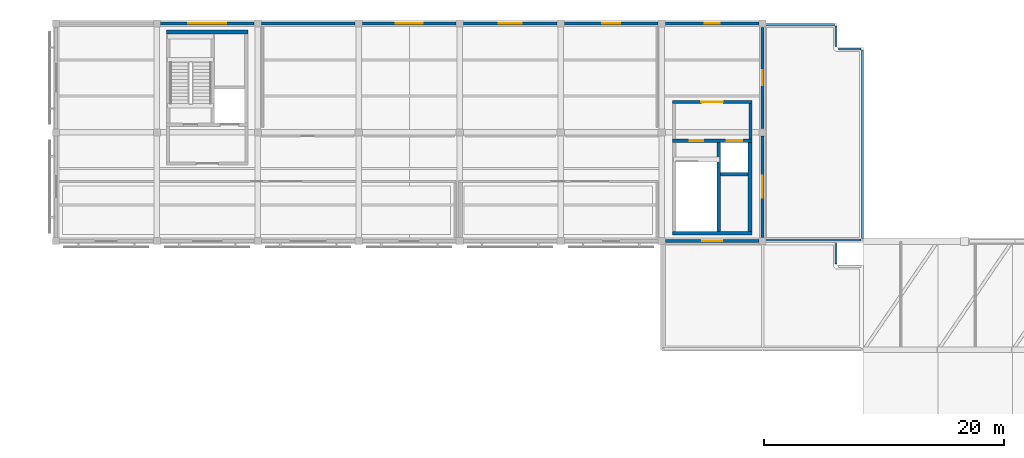
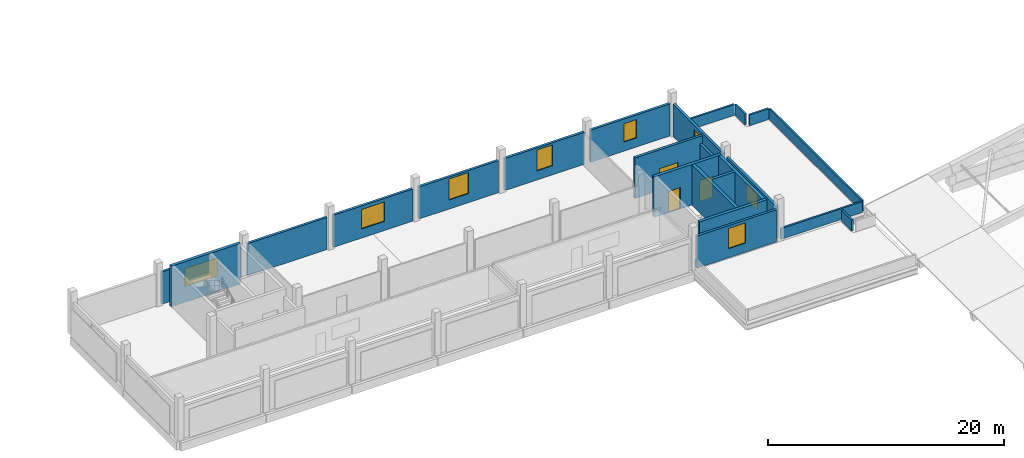
# One storey, part 19 of 34: 23 walls, 8 windows, 3 doors, 11 openings.
"""IFC4 building model written with IfcOpenShell, lengths in metres."""

import ifcopenshell
import ifcopenshell.guid

model = None  # the IFC model being written
_history = None  # IfcOwnerHistory: only IFC2X3 demands one
_inside = {}  # id of a spatial element -> (the spatial element, [elements in it])
_under = {}  # id of a project, library or spatial element -> (it, [spatial elements below it])
_declared = {}  # id of a project -> (the project, [libraries it declares])
_typed = {}  # id of a type object -> (the type object, [elements of that type])
_made_of = {}  # id of a material, layer set ... -> (it, [elements and type objects made of it])


def new_model(schema):
    """Start an empty IFC model of exactly this schema.

    Asked for "IFC4X3", IfcOpenShell would pick the latest addendum, in which some entities
    have other attributes; the version numbers below select the first issue.
    IFC2X3 requires an IfcOwnerHistory on every rooted entity: one is made here for all.
    """
    global model, _history
    if schema == "IFC4X3":
        model = ifcopenshell.file(schema_version=(4, 3, 0, 0))
    else:
        model = ifcopenshell.file(schema=schema)
    _inside.clear()
    _under.clear()
    _declared.clear()
    _typed.clear()
    _made_of.clear()
    _history = None
    if model.schema == "IFC2X3":
        org = make("IfcOrganization", Name="unknown")
        user = make(
            "IfcPersonAndOrganization",
            ThePerson=make("IfcPerson", FamilyName="unknown"),
            TheOrganization=org,
        )
        app = make(
            "IfcApplication",
            ApplicationDeveloper=org,
            Version="unknown",
            ApplicationFullName="unknown",
            ApplicationIdentifier="unknown",
        )
        _history = make(
            "IfcOwnerHistory",
            OwningUser=user,
            OwningApplication=app,
            ChangeAction="ADDED",
            CreationDate=0,
        )
    return model


def make(cls, **values):
    """One entity of the class cls with the attributes given. An attribute that is None is left unset."""
    return model.create_entity(
        cls, **{name: value for name, value in values.items() if value is not None}
    )


def rooted(cls, **values):
    """An entity with a GlobalId (a new one), such as an element, a storey or a relation."""
    return make(cls, GlobalId=ifcopenshell.guid.new(), OwnerHistory=_history, **values)


def si_unit(unit_type, name, prefix=None):
    """IfcSIUnit, for example si_unit("LENGTHUNIT", "METRE", prefix="MILLI")."""
    return make("IfcSIUnit", UnitType=unit_type, Prefix=prefix, Name=name)


def assignment(units):
    """IfcUnitAssignment: the units of a project."""
    return None if units is None else make("IfcUnitAssignment", Units=units)


def point(xyz):
    """IfcCartesianPoint."""
    return None if xyz is None else make("IfcCartesianPoint", Coordinates=xyz)


def direction(xyz):
    """IfcDirection."""
    return None if xyz is None else make("IfcDirection", DirectionRatios=xyz)


def frame(location, z_axis=None, x_axis=None):
    """IfcAxis2Placement3D, a coordinate frame: its origin and axes. An axis left out is left unset."""
    return make(
        "IfcAxis2Placement3D",
        Location=point(location),
        Axis=direction(z_axis),
        RefDirection=direction(x_axis),
    )


def frame_2d(location, x_axis=None):
    """IfcAxis2Placement2D, a coordinate frame in the plane: its origin and x axis."""
    return make(
        "IfcAxis2Placement2D", Location=point(location), RefDirection=direction(x_axis)
    )


def origin():
    """The frame at (0, 0, 0) with its axes left unset."""
    return frame((0.0, 0.0, 0.0))


def place(relative_to, where):
    """IfcLocalPlacement: puts the frame where relative to a parent placement (None: the world)."""
    return make(
        "IfcLocalPlacement", PlacementRelTo=relative_to, RelativePlacement=where
    )


def context(
    kind, dimensions, precision=None, world=None, true_north=None, identifier=None
):
    """IfcGeometricRepresentationContext, for example the 3D "Model" context."""
    return make(
        "IfcGeometricRepresentationContext",
        ContextIdentifier=identifier,
        ContextType=kind,
        CoordinateSpaceDimension=dimensions,
        Precision=precision,
        WorldCoordinateSystem=world,
        TrueNorth=true_north,
    )


def subcontext(parent, identifier, kind, view, scale=None):
    """IfcGeometricRepresentationSubContext, for example "Body" below "Model"."""
    return make(
        "IfcGeometricRepresentationSubContext",
        ContextIdentifier=identifier,
        ContextType=kind,
        ParentContext=parent,
        TargetScale=scale,
        TargetView=view,
    )


def project(units=None, contexts=None):
    """IfcProject with its units and contexts."""
    return rooted(
        "IfcProject",
        Name="project",
        RepresentationContexts=contexts,
        UnitsInContext=assignment(units),
    )


def spatial(cls, under=None, at=None, **own):
    """A site, building, storey or space (cls), placed at a placement, below another one or the project."""
    s = rooted(cls, ObjectPlacement=at, **own)
    if under is not None:
        _under.setdefault(under.id(), (under, []))[1].append(s)
    return s


def profile(cls, at=None, kind="AREA", **sizes):
    """A parametric profile (cls). Its sizes go by their IFC names, for example OverallWidth=200.0."""
    return make(cls, ProfileType=kind, Position=at, **sizes)


def rectangle(**sizes):
    """IfcRectangleProfileDef."""
    return profile("IfcRectangleProfileDef", **sizes)


def extrude(swept, where, along, depth):
    """IfcExtrudedAreaSolid: the profile swept, set in the frame where, extruded along a direction by depth."""
    return make(
        "IfcExtrudedAreaSolid",
        SweptArea=swept,
        Position=where,
        ExtrudedDirection=direction(along),
        Depth=depth,
    )


def shape(context_of_items, identifier, shape_type, items):
    """IfcShapeRepresentation: the items that make up one representation, for example the "Body"."""
    return make(
        "IfcShapeRepresentation",
        ContextOfItems=context_of_items,
        RepresentationIdentifier=identifier,
        RepresentationType=shape_type,
        Items=items,
    )


def material(Name=None, Category=None):
    """IfcMaterial."""
    return make("IfcMaterial", Name=Name, Category=Category)


def layer(
    of_material, thickness, ventilated=None, Name=None, Category=None, Priority=None
):
    """IfcMaterialLayer: one layer of a wall or slab, of a material (None: an air gap)."""
    return make(
        "IfcMaterialLayer",
        Material=of_material,
        LayerThickness=thickness,
        IsVentilated=ventilated,
        Name=Name,
        Category=Category,
        Priority=Priority,
    )


def layer_set(layers, Name=None):
    """IfcMaterialLayerSet."""
    return make("IfcMaterialLayerSet", MaterialLayers=layers, LayerSetName=Name)


def made_of(thing, what):
    """Note that an element or type object is made of a material, layer set ...; save() writes the relation."""
    if what is not None:
        _made_of.setdefault(what.id(), (what, []))[1].append(thing)
    return thing


def type_object(cls, material=None, **own):
    """A type object (cls), such as IfcWallType, which elements share."""
    return made_of(rooted(cls, **own), material)


def element(
    cls,
    number,
    at=None,
    inside=None,
    cuts=None,
    type_object=None,
    material=None,
    context=None,
    identifier="Body",
    shape_type=None,
    held_by="IfcProductDefinitionShape",
    body=None,
    shapes=None,
    **own,
):
    """One element of the class cls, such as IfcWall. Its Tag is "e" and its number.

    at: its placement. inside: the storey or other place that contains it. cuts: it is an
    opening in that element (IfcRelVoidsElement). A single representation is given by context,
    identifier, shape_type and body (its items); several are given by shapes. held_by: the class
    of the entity that holds the representations. save() writes the other relations.
    """
    e = rooted(cls, Tag="e%d" % number, ObjectPlacement=at, **own)
    if body is not None:
        shapes = [shape(context, identifier, shape_type, body)]
    if shapes is not None:
        e.Representation = make(held_by, Representations=shapes)
    if inside is not None:
        _inside.setdefault(inside.id(), (inside, []))[1].append(e)
    if cuts is not None:
        rooted(
            "IfcRelVoidsElement", RelatingBuildingElement=cuts, RelatedOpeningElement=e
        )
    if type_object is not None:
        _typed.setdefault(type_object.id(), (type_object, []))[1].append(e)
    return made_of(e, material)


def fill(opening, filler):
    """IfcRelFillsElement: the door or window that sits in an opening."""
    return rooted(
        "IfcRelFillsElement",
        RelatingOpeningElement=opening,
        RelatedBuildingElement=filler,
    )


def aggregate(whole, parts):
    """IfcRelAggregates: a whole, such as a stair, and the parts it consists of."""
    return rooted("IfcRelAggregates", RelatingObject=whole, RelatedObjects=parts)


def save(model, path):
    """Write the relations noted so far, then the file.

    IfcRelAggregates (storeys below a building ...), IfcRelContainedInSpatialStructure (elements
    in a storey), IfcRelDefinesByType, IfcRelAssociatesMaterial and IfcRelDeclares: one each for
    every whole, place, type object, material and project.
    """
    for whole, parts in _under.values():
        aggregate(whole, parts)
    for where, things in _inside.values():
        rooted(
            "IfcRelContainedInSpatialStructure",
            RelatedElements=things,
            RelatingStructure=where,
        )
    for kind, things in _typed.values():
        rooted("IfcRelDefinesByType", RelatedObjects=things, RelatingType=kind)
    for what, things in _made_of.values():
        rooted("IfcRelAssociatesMaterial", RelatedObjects=things, RelatingMaterial=what)
    for by, libraries in _declared.values():
        rooted("IfcRelDeclares", RelatingContext=by, RelatedDefinitions=libraries)
    model.write(path)


model = new_model("IFC4")

# Units and contexts
model_context = context("Model", 3, precision=1e-05, world=origin(), true_north=direction((0.0, 1.0)))
body_context = subcontext(model_context, "Body", "Model", "MODEL_VIEW")
ifc_project = project(units=[si_unit("LENGTHUNIT", "METRE"), si_unit("AREAUNIT", "SQUARE_METRE"), si_unit("VOLUMEUNIT", "CUBIC_METRE"), si_unit("PLANEANGLEUNIT", "RADIAN"), si_unit("MASSUNIT", "GRAM", prefix="KILO")], contexts=[model_context])

# Site, building, storey
site_placement = place(None, origin())
site = spatial("IfcSite", under=ifc_project, at=site_placement, CompositionType="ELEMENT")
building_placement = place(site_placement, origin())
building = spatial("IfcBuilding", under=site, at=building_placement, Name="Khurvash Pelagic Aquarium", CompositionType="ELEMENT")
storey_placement = place(building_placement, frame((0.0, 0.0, 15.60009765625)))
storey = spatial("IfcBuildingStorey", under=building, at=storey_placement, Name="L03", CompositionType="ELEMENT", Elevation=15.60009765625)

# Wall, opening, window
ifc_material_1 = material(Name="Glass-fibre reinforced concrete C40/50", Category="concrete")
ifc_layer_1 = layer(ifc_material_1, 0.239990234375)
ifc_layer_set_1 = layer_set([ifc_layer_1], Name="Glass-fibre reinforced concrete C40/50")
wall_type_1 = type_object("IfcWallType", Name="EW-240", PredefinedType="STANDARD", material=ifc_layer_set_1)
wall_1_placement = place(storey_placement, frame((109.5048828125, 84.050048828125, 0.0), z_axis=(0.0, 0.0, 1.0), x_axis=(1.0, 0.0, 0.0)))
wall_1 = element("IfcWall", 1, at=wall_1_placement, inside=storey, type_object=wall_type_1, Name="L03 Exterior Architectural Facade Wall EW-240 0153", PredefinedType="STANDARD", context=body_context, shape_type="SweptSolid", body=[
    extrude(rectangle(XDim=7.7900390625, YDim=0.239990234375, at=frame_2d((3.89501953125, 0.0))), origin(), (0.0, 0.0, 1.0), 3.329833984375),
])
opening_1_placement = place(wall_1_placement, frame((3.054931640625, 0.0, 0.949951171875)))
opening_1 = element("IfcOpeningElement", 2, at=opening_1_placement, cuts=wall_1, Name="Opening WN-34", PredefinedType="OPENING", context=body_context, shape_type="SweptSolid", body=[
    extrude(rectangle(XDim=1.679931640625, YDim=2.080078125, at=frame_2d((0.83984375, 1.0400390625))), frame((0.0, 0.1298828125, 0.0), z_axis=(0.0, -1.0, 0.0), x_axis=(1.0, 0.0, 0.0)), (0.0, 0.0, 1.0), 0.260009765625),
])
ifc_material_2 = material(Name="Thermally broken aluminium and low-E glass", Category="aluminium")
window_type_1 = type_object("IfcWindowType", Name="WN-34", PartitioningType="SINGLE_PANEL", PredefinedType="WINDOW", material=ifc_material_2)
window_1_placement = place(opening_1_placement, origin())
window_1 = element("IfcWindow", 3, at=window_1_placement, inside=storey, type_object=window_type_1, Name="L03 Facade Window WN-34 0100", OverallHeight=2.080078125, OverallWidth=1.679931640625, PartitioningType="SINGLE_PANEL", PredefinedType="WINDOW", context=body_context, shape_type="SweptSolid", body=[
    extrude(rectangle(XDim=1.679931640625, YDim=2.080078125, at=frame_2d((0.83984375, 1.0400390625))), frame((0.0, 0.030029296875, 0.0), z_axis=(0.0, -1.0, 0.0), x_axis=(1.0, 0.0, 0.0)), (0.0, 0.0, 1.0), 0.06005859375),
])
fill(opening_1, window_1)

wall_2_placement = place(storey_placement, frame((117.60009765625, 84.35498046875, 0.0), z_axis=(0.0, 0.0, 1.0), x_axis=(0.0, 1.0, 0.0)))
wall_2 = element("IfcWall", 4, at=wall_2_placement, inside=storey, type_object=wall_type_1, Name="L03 Exterior Architectural Facade Wall EW-240 0154", PredefinedType="STANDARD", context=body_context, shape_type="SweptSolid", body=[
    extrude(rectangle(XDim=8.43994140625, YDim=0.239990234375, at=frame_2d((4.219970703125, 0.0))), origin(), (0.0, 0.0, 1.0), 3.349853515625),
])
opening_2_placement = place(wall_2_placement, frame((3.294921875, 0.0, 0.949951171875)))
opening_2 = element("IfcOpeningElement", 5, at=opening_2_placement, cuts=wall_2, Name="Opening WN-29", PredefinedType="OPENING", context=body_context, shape_type="SweptSolid", body=[
    extrude(rectangle(XDim=1.85009765625, YDim=1.64990234375, at=frame_2d((0.925048828125, 0.824951171875))), frame((0.0, 0.1298828125, 0.0), z_axis=(0.0, -1.0, 0.0), x_axis=(1.0, 0.0, 0.0)), (0.0, 0.0, 1.0), 0.260009765625),
])
window_type_2 = type_object("IfcWindowType", Name="WN-29", PartitioningType="SINGLE_PANEL", PredefinedType="WINDOW", material=ifc_material_2)
window_2_placement = place(opening_2_placement, origin())
window_2 = element("IfcWindow", 6, at=window_2_placement, inside=storey, type_object=window_type_2, Name="L03 Facade Window WN-29 0101", OverallHeight=1.64990234375, OverallWidth=1.85009765625, PartitioningType="SINGLE_PANEL", PredefinedType="WINDOW", context=body_context, shape_type="SweptSolid", body=[
    extrude(rectangle(XDim=1.85009765625, YDim=1.64990234375, at=frame_2d((0.925048828125, 0.824951171875))), frame((0.0, 0.030029296875, 0.0), z_axis=(0.0, -1.0, 0.0), x_axis=(1.0, 0.0, 0.0)), (0.0, 0.0, 1.0), 0.06005859375),
])
fill(opening_2, window_2)

wall_3_placement = place(storey_placement, frame((117.60009765625, 93.405029296875, 0.0), z_axis=(0.0, 0.0, 1.0), x_axis=(0.0, 1.0, 0.0)))
wall_3 = element("IfcWall", 7, at=wall_3_placement, inside=storey, type_object=wall_type_1, Name="L03 Exterior Architectural Facade Wall EW-240 0155", PredefinedType="STANDARD", context=body_context, shape_type="SweptSolid", body=[
    extrude(rectangle(XDim=8.43994140625, YDim=0.239990234375, at=frame_2d((4.219970703125, 0.0))), origin(), (0.0, 0.0, 1.0), 3.349853515625),
])
opening_3_placement = place(wall_3_placement, frame((3.594970703125, 0.0, 0.949951171875)))
opening_3 = element("IfcOpeningElement", 8, at=opening_3_placement, cuts=wall_3, Name="Opening WN-31", PredefinedType="OPENING", context=body_context, shape_type="SweptSolid", body=[
    extrude(rectangle(XDim=1.25, YDim=1.89990234375, at=frame_2d((0.625, 0.949951171875))), frame((0.0, 0.1298828125, 0.0), z_axis=(0.0, -1.0, 0.0), x_axis=(1.0, 0.0, 0.0)), (0.0, 0.0, 1.0), 0.260009765625),
])
window_type_3 = type_object("IfcWindowType", Name="WN-31", PartitioningType="SINGLE_PANEL", PredefinedType="WINDOW", material=ifc_material_2)
window_3_placement = place(opening_3_placement, origin())
window_3 = element("IfcWindow", 9, at=window_3_placement, inside=storey, type_object=window_type_3, Name="L03 Facade Window WN-31 0102", OverallHeight=1.89990234375, OverallWidth=1.25, PartitioningType="SINGLE_PANEL", PredefinedType="WINDOW", context=body_context, shape_type="SweptSolid", body=[
    extrude(rectangle(XDim=1.25, YDim=1.89990234375, at=frame_2d((0.625, 0.949951171875))), frame((0.0, 0.030029296875, 0.0), z_axis=(0.0, -1.0, 0.0), x_axis=(1.0, 0.0, 0.0)), (0.0, 0.0, 1.0), 0.06005859375),
])
fill(opening_3, window_3)

wall_4_placement = place(storey_placement, frame((117.294921875, 102.14990234375, 0.0), z_axis=(0.0, 0.0, 1.0), x_axis=(-1.0, 0.0, 0.0)))
wall_4 = element("IfcWall", 10, at=wall_4_placement, inside=storey, type_object=wall_type_1, Name="L03 Exterior Architectural Facade Wall EW-240 0156", PredefinedType="STANDARD", context=body_context, shape_type="SweptSolid", body=[
    extrude(rectangle(XDim=7.7900390625, YDim=0.239990234375, at=frame_2d((3.89501953125, 0.0))), origin(), (0.0, 0.0, 1.0), 3.329833984375),
])
opening_4_placement = place(wall_4_placement, frame((3.27001953125, 0.0, 0.949951171875)))
opening_4 = element("IfcOpeningElement", 11, at=opening_4_placement, cuts=wall_4, Name="Opening WN-31", PredefinedType="OPENING", context=body_context, shape_type="SweptSolid", body=[
    extrude(rectangle(XDim=1.25, YDim=1.89990234375, at=frame_2d((0.625, 0.949951171875))), frame((0.0, 0.1298828125, 0.0), z_axis=(0.0, -1.0, 0.0), x_axis=(1.0, 0.0, 0.0)), (0.0, 0.0, 1.0), 0.260009765625),
])
window_4_placement = place(opening_4_placement, origin())
window_4 = element("IfcWindow", 12, at=window_4_placement, inside=storey, type_object=window_type_3, Name="L03 Facade Window WN-31 0103", OverallHeight=1.89990234375, OverallWidth=1.25, PartitioningType="SINGLE_PANEL", PredefinedType="WINDOW", context=body_context, shape_type="SweptSolid", body=[
    extrude(rectangle(XDim=1.25, YDim=1.89990234375, at=frame_2d((0.625, 0.949951171875))), frame((0.0, 0.030029296875, 0.0), z_axis=(0.0, -1.0, 0.0), x_axis=(1.0, 0.0, 0.0)), (0.0, 0.0, 1.0), 0.06005859375),
])
fill(opening_4, window_4)

wall_5_placement = place(storey_placement, frame((108.89501953125, 102.14990234375, 0.0), z_axis=(0.0, 0.0, 1.0), x_axis=(-1.0, 0.0, 0.0)))
wall_5 = element("IfcWall", 13, at=wall_5_placement, inside=storey, type_object=wall_type_1, Name="L03 Exterior Architectural Facade Wall EW-240 0157", PredefinedType="STANDARD", context=body_context, shape_type="SweptSolid", body=[
    extrude(rectangle(XDim=7.7900390625, YDim=0.239990234375, at=frame_2d((3.89501953125, 0.0))), origin(), (0.0, 0.0, 1.0), 3.329833984375),
])
opening_5_placement = place(wall_5_placement, frame((3.135009765625, 0.0, 0.949951171875)))
opening_5 = element("IfcOpeningElement", 14, at=opening_5_placement, cuts=wall_5, Name="Opening WN-33", PredefinedType="OPENING", context=body_context, shape_type="SweptSolid", body=[
    extrude(rectangle(XDim=1.52001953125, YDim=2.14990234375, at=frame_2d((0.760009765625, 1.074951171875))), frame((0.0, 0.1298828125, 0.0), z_axis=(0.0, -1.0, 0.0), x_axis=(1.0, 0.0, 0.0)), (0.0, 0.0, 1.0), 0.260009765625),
])
window_type_4 = type_object("IfcWindowType", Name="WN-33", PartitioningType="SINGLE_PANEL", PredefinedType="WINDOW", material=ifc_material_2)
window_5_placement = place(opening_5_placement, origin())
window_5 = element("IfcWindow", 15, at=window_5_placement, inside=storey, type_object=window_type_4, Name="L03 Facade Window WN-33 0104", OverallHeight=2.14990234375, OverallWidth=1.52001953125, PartitioningType="SINGLE_PANEL", PredefinedType="WINDOW", context=body_context, shape_type="SweptSolid", body=[
    extrude(rectangle(XDim=1.52001953125, YDim=2.14990234375, at=frame_2d((0.760009765625, 1.074951171875))), frame((0.0, 0.030029296875, 0.0), z_axis=(0.0, -1.0, 0.0), x_axis=(1.0, 0.0, 0.0)), (0.0, 0.0, 1.0), 0.06005859375),
])
fill(opening_5, window_5)

wall_6_placement = place(storey_placement, frame((100.4951171875, 102.14990234375, 0.0), z_axis=(0.0, 0.0, 1.0), x_axis=(-1.0, 0.0, 0.0)))
wall_6 = element("IfcWall", 16, at=wall_6_placement, inside=storey, type_object=wall_type_1, Name="L03 Exterior Architectural Facade Wall EW-240 0158", PredefinedType="STANDARD", context=body_context, shape_type="SweptSolid", body=[
    extrude(rectangle(XDim=7.7900390625, YDim=0.239990234375, at=frame_2d((3.89501953125, 0.0))), origin(), (0.0, 0.0, 1.0), 3.329833984375),
])
opening_6_placement = place(wall_6_placement, frame((2.955078125, 0.0, 0.949951171875)))
opening_6 = element("IfcOpeningElement", 17, at=opening_6_placement, cuts=wall_6, Name="Opening WN-35", PredefinedType="OPENING", context=body_context, shape_type="SweptSolid", body=[
    extrude(rectangle(XDim=1.8798828125, YDim=2.179931640625, at=frame_2d((0.93994140625, 1.08984375))), frame((0.0, 0.1298828125, 0.0), z_axis=(0.0, -1.0, 0.0), x_axis=(1.0, 0.0, 0.0)), (0.0, 0.0, 1.0), 0.260009765625),
])
window_type_5 = type_object("IfcWindowType", Name="WN-35", PartitioningType="SINGLE_PANEL", PredefinedType="WINDOW", material=ifc_material_2)
window_6_placement = place(opening_6_placement, origin())
window_6 = element("IfcWindow", 18, at=window_6_placement, inside=storey, type_object=window_type_5, Name="L03 Facade Window WN-35 0105", OverallHeight=2.179931640625, OverallWidth=1.8798828125, PartitioningType="SINGLE_PANEL", PredefinedType="WINDOW", context=body_context, shape_type="SweptSolid", body=[
    extrude(rectangle(XDim=1.8798828125, YDim=2.179931640625, at=frame_2d((0.93994140625, 1.08984375))), frame((0.0, 0.030029296875, 0.0), z_axis=(0.0, -1.0, 0.0), x_axis=(1.0, 0.0, 0.0)), (0.0, 0.0, 1.0), 0.06005859375),
])
fill(opening_6, window_6)

wall_7_placement = place(storey_placement, frame((92.094970703125, 102.14990234375, 0.0), z_axis=(0.0, 0.0, 1.0), x_axis=(-1.0, 0.0, 0.0)))
wall_7 = element("IfcWall", 19, at=wall_7_placement, inside=storey, type_object=wall_type_1, Name="L03 Exterior Architectural Facade Wall EW-240 0159", PredefinedType="STANDARD", context=body_context, shape_type="SweptSolid", body=[
    extrude(rectangle(XDim=7.7900390625, YDim=0.239990234375, at=frame_2d((3.89501953125, 0.0))), origin(), (0.0, 0.0, 1.0), 3.329833984375),
])
opening_7_placement = place(wall_7_placement, frame((2.764892578125, 0.0, 0.949951171875)))
opening_7 = element("IfcOpeningElement", 20, at=opening_7_placement, cuts=wall_7, Name="Opening WN-37", PredefinedType="OPENING", context=body_context, shape_type="SweptSolid", body=[
    extrude(rectangle(XDim=2.260009765625, YDim=2.02001953125, at=frame_2d((1.1298828125, 1.010009765625))), frame((0.0, 0.1298828125, 0.0), z_axis=(0.0, -1.0, 0.0), x_axis=(1.0, 0.0, 0.0)), (0.0, 0.0, 1.0), 0.260009765625),
])
window_type_6 = type_object("IfcWindowType", Name="WN-37", PartitioningType="SINGLE_PANEL", PredefinedType="WINDOW", material=ifc_material_2)
window_7_placement = place(opening_7_placement, origin())
window_7 = element("IfcWindow", 21, at=window_7_placement, inside=storey, type_object=window_type_6, Name="L03 Facade Window WN-37 0106", OverallHeight=2.02001953125, OverallWidth=2.260009765625, PartitioningType="SINGLE_PANEL", PredefinedType="WINDOW", context=body_context, shape_type="SweptSolid", body=[
    extrude(rectangle(XDim=2.260009765625, YDim=2.02001953125, at=frame_2d((1.1298828125, 1.010009765625))), frame((0.0, 0.030029296875, 0.0), z_axis=(0.0, -1.0, 0.0), x_axis=(1.0, 0.0, 0.0)), (0.0, 0.0, 1.0), 0.06005859375),
])
fill(opening_7, window_7)

# Wall
wall_8_placement = place(storey_placement, frame((83.695068359375, 102.14990234375, 0.0), z_axis=(0.0, 0.0, 1.0), x_axis=(-1.0, 0.0, 0.0)))
element("IfcWall", 22, at=wall_8_placement, inside=storey, type_object=wall_type_1, Name="L03 Exterior Architectural Facade Wall EW-240 0160", PredefinedType="STANDARD", context=body_context, shape_type="SweptSolid", body=[
    extrude(rectangle(XDim=7.7900390625, YDim=0.239990234375, at=frame_2d((3.89501953125, 0.0))), origin(), (0.0, 0.0, 1.0), 3.329833984375),
])

# Wall, opening, window
wall_9_placement = place(storey_placement, frame((75.294921875, 102.14990234375, 0.0), z_axis=(0.0, 0.0, 1.0), x_axis=(-1.0, 0.0, 0.0)))
wall_9 = element("IfcWall", 23, at=wall_9_placement, inside=storey, type_object=wall_type_1, Name="L03 Exterior Architectural Facade Wall EW-240 0161", PredefinedType="STANDARD", context=body_context, shape_type="SweptSolid", body=[
    extrude(rectangle(XDim=7.7900390625, YDim=0.239990234375, at=frame_2d((3.89501953125, 0.0))), origin(), (0.0, 0.0, 1.0), 3.329833984375),
])
opening_8_placement = place(wall_9_placement, frame((2.31494140625, 0.0, 0.949951171875)))
opening_8 = element("IfcOpeningElement", 24, at=opening_8_placement, cuts=wall_9, Name="Opening WN-41", PredefinedType="OPENING", context=body_context, shape_type="SweptSolid", body=[
    extrude(rectangle(XDim=3.159912109375, YDim=1.8798828125, at=frame_2d((1.580078125, 0.93994140625))), frame((0.0, 0.1298828125, 0.0), z_axis=(0.0, -1.0, 0.0), x_axis=(1.0, 0.0, 0.0)), (0.0, 0.0, 1.0), 0.260009765625),
])
window_type_7 = type_object("IfcWindowType", Name="WN-41", PartitioningType="SINGLE_PANEL", PredefinedType="WINDOW", material=ifc_material_2)
window_8_placement = place(opening_8_placement, origin())
window_8 = element("IfcWindow", 25, at=window_8_placement, inside=storey, type_object=window_type_7, Name="L03 Facade Window WN-41 0107", OverallHeight=1.8798828125, OverallWidth=3.159912109375, PartitioningType="SINGLE_PANEL", PredefinedType="WINDOW", context=body_context, shape_type="SweptSolid", body=[
    extrude(rectangle(XDim=3.159912109375, YDim=1.8798828125, at=frame_2d((1.580078125, 0.93994140625))), frame((0.0, 0.030029296875, 0.0), z_axis=(0.0, -1.0, 0.0), x_axis=(1.0, 0.0, 0.0)), (0.0, 0.0, 1.0), 0.06005859375),
])
fill(opening_8, window_8)

# Walls
ifc_material_3 = material(Name="Precast concrete C40/50", Category="concrete")
ifc_layer_2 = layer(ifc_material_3, 0.179931640625)
ifc_layer_set_2 = layer_set([ifc_layer_2], Name="Precast concrete C40/50")
wall_type_2 = type_object("IfcWallType", Name="PP-180", PredefinedType="PARAPET", material=ifc_layer_set_2)
wall_10_placement = place(storey_placement, frame((123.699951171875, 83.85009765625, 0.0), z_axis=(0.0, 0.0, 1.0), x_axis=(0.0, -1.0, 0.0)))
element("IfcWall", 26, at=wall_10_placement, inside=storey, type_object=wall_type_2, Name="L03 Roof Perimeter Parapet Wall PP-180", PredefinedType="PARAPET", context=body_context, shape_type="SweptSolid", body=[
    extrude(rectangle(XDim=1.7001953125, YDim=0.179931640625, at=frame_2d((0.85009765625, 0.0))), origin(), (0.0, 0.0, 1.0), 1.119873046875),
])
wall_11_placement = place(storey_placement, frame((125.800048828125, 84.14990234375, 0.0), z_axis=(0.0, 0.0, 1.0), x_axis=(-1.0, 0.0, 0.0)))
element("IfcWall", 27, at=wall_11_placement, inside=storey, type_object=wall_type_2, Name="L03 Roof Perimeter Parapet Wall PP-180", PredefinedType="PARAPET", context=body_context, shape_type="SweptSolid", body=[
    extrude(rectangle(XDim=8.0, YDim=0.179931640625, at=frame_2d((4.0, 0.0))), origin(), (0.0, 0.0, 1.0), 1.119873046875),
])
wall_12_placement = place(storey_placement, frame((117.800048828125, 102.050048828125, 0.0), z_axis=(0.0, 0.0, 1.0), x_axis=(1.0, 0.0, 0.0)))
element("IfcWall", 28, at=wall_12_placement, inside=storey, type_object=wall_type_2, Name="L03 Roof Perimeter Parapet Wall PP-180", PredefinedType="PARAPET", context=body_context, shape_type="SweptSolid", body=[
    extrude(rectangle(XDim=5.800048828125, YDim=0.179931640625, at=frame_2d((2.89990234375, 0.0))), origin(), (0.0, 0.0, 1.0), 1.119873046875),
])
wall_13_placement = place(storey_placement, frame((123.699951171875, 101.949951171875, 0.0), z_axis=(0.0, 0.0, 1.0), x_axis=(0.0, -1.0, 0.0)))
element("IfcWall", 29, at=wall_13_placement, inside=storey, type_object=wall_type_2, Name="L03 Roof Perimeter Parapet Wall PP-180", PredefinedType="PARAPET", context=body_context, shape_type="SweptSolid", body=[
    extrude(rectangle(XDim=1.699951171875, YDim=0.179931640625, at=frame_2d((0.85009765625, 0.0))), origin(), (0.0, 0.0, 1.0), 1.119873046875),
])
wall_14_placement = place(storey_placement, frame((123.89990234375, 100.050048828125, 0.0), z_axis=(0.0, 0.0, 1.0), x_axis=(1.0, 0.0, 0.0)))
element("IfcWall", 30, at=wall_14_placement, inside=storey, type_object=wall_type_2, Name="L03 Roof Perimeter Parapet Wall PP-180", PredefinedType="PARAPET", context=body_context, shape_type="SweptSolid", body=[
    extrude(rectangle(XDim=1.900146484375, YDim=0.179931640625, at=frame_2d((0.9501953125, 0.0))), origin(), (0.0, 0.0, 1.0), 1.119873046875),
])
wall_15_placement = place(storey_placement, frame((125.89990234375, 99.949951171875, 0.0), z_axis=(0.0, 0.0, 1.0), x_axis=(0.0, -1.0, 0.0)))
element("IfcWall", 31, at=wall_15_placement, inside=storey, type_object=wall_type_2, Name="L03 Roof Perimeter Parapet Wall PP-180", PredefinedType="PARAPET", context=body_context, shape_type="SweptSolid", body=[
    extrude(rectangle(XDim=15.699951171875, YDim=0.179931640625, at=frame_2d((7.85009765625, 0.0))), origin(), (0.0, 0.0, 1.0), 1.119873046875),
])

# Wall, opening, door
ifc_material_4 = material(Name="AAC blockwork", Category="masonry")
ifc_layer_3 = layer(ifc_material_4, 0.25)
ifc_layer_set_3 = layer_set([ifc_layer_3], Name="AAC blockwork")
wall_type_3 = type_object("IfcWallType", Name="PW-250", PredefinedType="PARTITIONING", material=ifc_layer_set_3)
wall_16_placement = place(storey_placement, frame((110.10009765625, 95.625, 0.0), z_axis=(0.0, 0.0, 1.0), x_axis=(1.0, 0.0, 0.0)))
wall_16 = element("IfcWall", 32, at=wall_16_placement, inside=storey, type_object=wall_type_3, Name="L03 Core C6 Lobby Front Fire Wall PW-250", PredefinedType="PARTITIONING", context=body_context, shape_type="SweptSolid", body=[
    extrude(rectangle(XDim=6.599853515625, YDim=0.25, at=frame_2d((3.2998046875, 0.0))), origin(), (0.0, 0.0, 1.0), 4.199951171875),
])
opening_9_placement = place(wall_16_placement, frame((2.39990234375, 0.0, 0.0)))
opening_9 = element("IfcOpeningElement", 33, at=opening_9_placement, cuts=wall_16, Name="Opening FD-02", PredefinedType="OPENING", context=body_context, shape_type="SweptSolid", body=[
    extrude(rectangle(XDim=1.800048828125, YDim=2.25, at=frame_2d((0.89990234375, 1.125))), frame((0.0, 0.135009765625, 0.0), z_axis=(0.0, -1.0, 0.0), x_axis=(1.0, 0.0, 0.0)), (0.0, 0.0, 1.0), 0.27001953125),
])
ifc_material_5 = material(Name="Galvanised steel double fire door", Category="steel")
door_type_1 = type_object("IfcDoorType", Name="FD-02", OperationType="DOUBLE_DOOR_SINGLE_SWING", PredefinedType="DOOR", material=ifc_material_5)
door_1_placement = place(opening_9_placement, origin())
door_1 = element("IfcDoor", 34, at=door_1_placement, inside=storey, type_object=door_type_1, Name="DR-0212", OperationType="DOUBLE_DOOR_SINGLE_SWING", OverallHeight=2.25, OverallWidth=1.800048828125, PredefinedType="DOOR", context=body_context, shape_type="SweptSolid", body=[
    extrude(rectangle(XDim=1.800048828125, YDim=2.25, at=frame_2d((0.89990234375, 1.125))), frame((0.0, 0.02490234375, 0.0), z_axis=(0.0, -1.0, 0.0), x_axis=(1.0, 0.0, 0.0)), (0.0, 0.0, 1.0), 0.050048828125),
])
fill(opening_9, door_1)

# Walls
wall_17_placement = place(storey_placement, frame((116.574951171875, 92.550048828125, 0.0), z_axis=(0.0, 0.0, 1.0), x_axis=(0.0, 1.0, 0.0)))
element("IfcWall", 35, at=wall_17_placement, inside=storey, type_object=wall_type_3, Name="L03 Core C6 Lobby East Fire Wall PW-250", PredefinedType="PARTITIONING", context=body_context, shape_type="SweptSolid", body=[
    extrude(rectangle(XDim=2.949951171875, YDim=0.25, at=frame_2d((1.47509765625, 0.0))), origin(), (0.0, 0.0, 1.0), 3.429931640625),
])
ifc_material_6 = material(Name="Concrete C40/50", Category="concrete")
ifc_layer_4 = layer(ifc_material_6, 0.27490234375)
ifc_layer_set_4 = layer_set([ifc_layer_4], Name="Concrete C40/50")
wall_type_4 = type_object("IfcWallType", Name="SW-275", PredefinedType="SHEAR", material=ifc_layer_set_4)
wall_18_placement = place(storey_placement, frame((114.10009765625, 89.612060546875, 0.0), z_axis=(0.0, 0.0, 1.0), x_axis=(1.0, 0.0, 0.0)))
element("IfcWall", 36, at=wall_18_placement, inside=storey, type_object=wall_type_4, Name="L03 Lift PL-03 Shaft Rear Shear Wall SW-275", PredefinedType="SHEAR", context=body_context, shape_type="SweptSolid", body=[
    extrude(rectangle(XDim=2.2998046875, YDim=0.27490234375, at=frame_2d((1.14990234375, 0.0))), origin(), (0.0, 0.0, 1.0), 4.199951171875),
])
ifc_layer_5 = layer(ifc_material_6, 0.300048828125)
ifc_layer_set_5 = layer_set([ifc_layer_5], Name="Concrete C40/50")
wall_type_5 = type_object("IfcWallType", Name="SW-300", PredefinedType="SHEAR", material=ifc_layer_set_5)
wall_19_placement = place(storey_placement, frame((68.0, 101.449951171875, 0.0), z_axis=(0.0, 0.0, 1.0), x_axis=(1.0, 0.0, 0.0)))
element("IfcWall", 37, at=wall_19_placement, inside=storey, type_object=wall_type_5, Name="L03 Core C4 North Shear Wall SW-300", PredefinedType="SHEAR", context=body_context, shape_type="SweptSolid", body=[
    extrude(rectangle(XDim=6.800048828125, YDim=0.300048828125, at=frame_2d((3.39990234375, 0.0))), origin(), (0.0, 0.0, 1.0), 4.199951171875),
])
wall_20_placement = place(storey_placement, frame((110.10009765625, 84.699951171875, 0.0), z_axis=(0.0, 0.0, 1.0), x_axis=(1.0, 0.0, 0.0)))
element("IfcWall", 38, at=wall_20_placement, inside=storey, type_object=wall_type_5, Name="L03 Core C6 South Shear Wall SW-300", PredefinedType="SHEAR", context=body_context, shape_type="SweptSolid", body=[
    extrude(rectangle(XDim=6.599853515625, YDim=0.300048828125, at=frame_2d((3.2998046875, 0.0))), origin(), (0.0, 0.0, 1.0), 4.199951171875),
])

# Wall, openings, doors
wall_21_placement = place(storey_placement, frame((110.10009765625, 92.39990234375, 0.0), z_axis=(0.0, 0.0, 1.0), x_axis=(1.0, 0.0, 0.0)))
wall_21 = element("IfcWall", 39, at=wall_21_placement, inside=storey, type_object=wall_type_5, Name="L03 Core C6 North Shear Wall SW-300", PredefinedType="SHEAR", context=body_context, shape_type="SweptSolid", body=[
    extrude(rectangle(XDim=6.599853515625, YDim=0.300048828125, at=frame_2d((3.2998046875, 0.0))), origin(), (0.0, 0.0, 1.0), 4.199951171875),
])
opening_10_placement = place(wall_21_placement, frame((1.425048828125, 0.0, 0.0)))
opening_10 = element("IfcOpeningElement", 40, at=opening_10_placement, cuts=wall_21, Name="Opening FD-01", PredefinedType="OPENING", context=body_context, shape_type="SweptSolid", body=[
    extrude(rectangle(XDim=1.14990234375, YDim=2.199951171875, at=frame_2d((0.574951171875, 1.10009765625))), frame((0.0, 0.16015625, 0.0), z_axis=(0.0, -1.0, 0.0), x_axis=(1.0, 0.0, 0.0)), (0.0, 0.0, 1.0), 0.320068359375),
])
opening_11_placement = place(wall_21_placement, frame((4.5, 0.0, 0.0)))
opening_11 = element("IfcOpeningElement", 41, at=opening_11_placement, cuts=wall_21, Name="Opening LD-02", PredefinedType="OPENING", context=body_context, shape_type="SweptSolid", body=[
    extrude(rectangle(XDim=1.300048828125, YDim=2.199951171875, at=frame_2d((0.64990234375, 1.10009765625))), frame((0.0, 0.16015625, 0.0), z_axis=(0.0, -1.0, 0.0), x_axis=(1.0, 0.0, 0.0)), (0.0, 0.0, 1.0), 0.320068359375),
])
ifc_material_7 = material(Name="Galvanised steel fire door", Category="steel")
door_type_2 = type_object("IfcDoorType", Name="FD-01", OperationType="NOTDEFINED", PredefinedType="DOOR", material=ifc_material_7)
door_2_placement = place(opening_10_placement, frame((1.14990234375, 0.0, 0.0), z_axis=(0.0, 0.0, 1.0), x_axis=(-1.0, 0.0, 0.0)))
door_2 = element("IfcDoor", 42, at=door_2_placement, inside=storey, type_object=door_type_2, Name="DR-0177", OperationType="SINGLE_SWING_RIGHT", OverallHeight=2.199951171875, OverallWidth=1.14990234375, PredefinedType="DOOR", context=body_context, shape_type="SweptSolid", body=[
    extrude(rectangle(XDim=1.14990234375, YDim=2.199951171875, at=frame_2d((0.574951171875, 1.10009765625))), frame((0.0, 0.02490234375, 0.0), z_axis=(0.0, -1.0, 0.0), x_axis=(1.0, 0.0, 0.0)), (0.0, 0.0, 1.0), 0.050048828125),
])
fill(opening_10, door_2)
ifc_material_8 = material(Name="Brushed stainless steel 316 lift landing door", Category="steel")
door_type_3 = type_object("IfcDoorType", Name="LD-02", OperationType="DOUBLE_DOOR_SLIDING", PredefinedType="DOOR", material=ifc_material_8)
door_3_placement = place(opening_11_placement, origin())
door_3 = element("IfcDoor", 43, at=door_3_placement, inside=storey, type_object=door_type_3, Name="DR-0183", OperationType="DOUBLE_DOOR_SLIDING", OverallHeight=2.199951171875, OverallWidth=1.300048828125, PredefinedType="DOOR", context=body_context, shape_type="SweptSolid", body=[
    extrude(rectangle(XDim=1.300048828125, YDim=2.199951171875, at=frame_2d((0.64990234375, 1.10009765625))), frame((0.0, 0.02490234375, 0.0), z_axis=(0.0, -1.0, 0.0), x_axis=(1.0, 0.0, 0.0)), (0.0, 0.0, 1.0), 0.050048828125),
])
fill(opening_11, door_3)

# Walls
for number, where, z_axis, x_axis, name in (
    (44, (116.550048828125, 84.85009765625, 0.0), (0.0, 0.0, 1.0), (0.0, 1.0, 0.0), "L03 Core C6 East Shear Wall SW-300"),
    (45, (113.949951171875, 84.85009765625, 0.0), (0.0, 0.0, 1.0), (0.0, 1.0, 0.0), "L03 Core C6 Divider Shear Wall SW-300"),
):
    element("IfcWall", number, at=place(storey_placement, frame(where, z_axis=z_axis, x_axis=x_axis)), inside=storey, type_object=wall_type_5, Name=name, PredefinedType="SHEAR", context=body_context, shape_type="SweptSolid", body=[
        extrude(rectangle(XDim=7.39990234375, YDim=0.300048828125, at=frame_2d((3.699951171875, 0.0))), origin(), (0.0, 0.0, 1.0), 4.199951171875),
    ])

save(model, "model.ifc")
